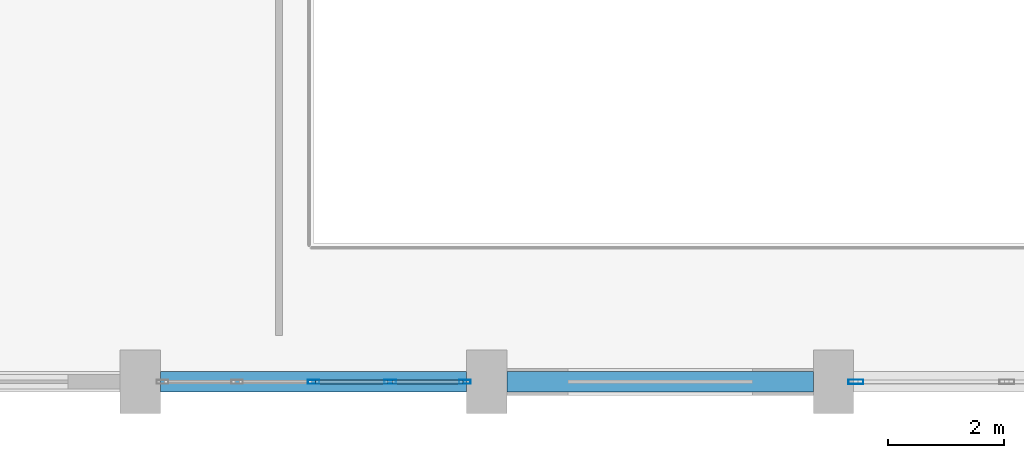
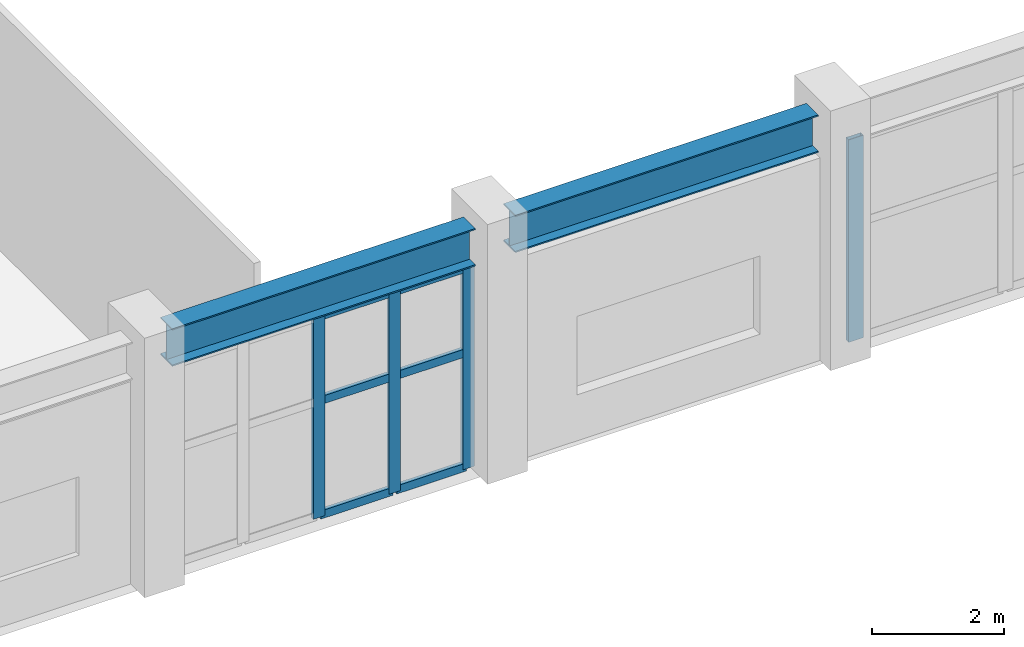
# One storey, part 3 of 62: 10 members, 2 beams, 2 elements without a shape of their own.
"""IFC4 building model written with IfcOpenShell, lengths in metres."""

from ifc_helpers import new_model, si_unit, direction, frame, origin, origin_2d, place, context, subcontext, project, spatial, hollow_rectangle, i_section, extrude, material, layer, layer_set, material_profile, profile_set, type_object, element, aggregate, save


model = new_model("IFC4")

# Units and contexts
model_context = context("Model", 3, precision=1e-05, world=origin(), true_north=direction((0.0, 1.0)))
body_context = subcontext(model_context, "Body", "Model", "MODEL_VIEW")
ifc_project = project(units=[si_unit("LENGTHUNIT", "METRE"), si_unit("AREAUNIT", "SQUARE_METRE"), si_unit("VOLUMEUNIT", "CUBIC_METRE"), si_unit("PLANEANGLEUNIT", "RADIAN"), si_unit("MASSUNIT", "GRAM", prefix="KILO")], contexts=[model_context])

# Site, building, storey
site_placement = place(None, origin())
site = spatial("IfcSite", under=ifc_project, at=site_placement, CompositionType="ELEMENT")
building_placement = place(site_placement, origin())
building = spatial("IfcBuilding", under=site, at=building_placement, Name="Vaelkrest Opera House", CompositionType="ELEMENT")
storey_placement = place(building_placement, frame((0.0, 0.0, 19.800048828125)))
storey = spatial("IfcBuildingStorey", under=building, at=storey_placement, Name="L04", CompositionType="ELEMENT", Elevation=19.800048828125)

# Curtain wall, members
ifc_material_1 = material(Name="Dark bronze anodized aluminium", Category="aluminium")
ifc_layer_1 = layer(ifc_material_1, 0.18994140625)
ifc_layer_set_1 = layer_set([ifc_layer_1], Name="Dark bronze anodized aluminium")
curtain_wall_type_1 = type_object("IfcCurtainWallType", Name="CW02", PredefinedType="NOTDEFINED", material=ifc_layer_set_1)
curtain_wall_1_placement = place(storey_placement, origin())
curtain_wall_1 = element("IfcCurtainWall", 1, at=curtain_wall_1_placement, inside=storey, type_object=curtain_wall_type_1, Name="Curtain wall CW-L04-059", PredefinedType="NOTDEFINED")
ifc_material_profile_1 = material_profile(ifc_material_1, hollow_rectangle(XDim=0.070068359375, YDim=0.199951171875, WallThickness=0.004150390625, at=origin_2d()), Name="CWM70X200")
ifc_profile_set_1 = profile_set([ifc_material_profile_1], Name="Dark bronze anodized aluminium")
member_type_1 = type_object("IfcMemberType", Name="CWM02", PredefinedType="MULLION", material=ifc_profile_set_1)
member_1_placement = place(storey_placement, frame((-18.383056640625, -55.800048828125, 0.0), z_axis=(0.0, 0.0, 1.0), x_axis=(0.0, -1.0, 0.0)))
member_1 = element("IfcMember", 2, at=member_1_placement, type_object=member_type_1, Name="CW02 mullion 1", PredefinedType="MULLION", context=body_context, shape_type="SweptSolid", body=[
    extrude(hollow_rectangle(XDim=0.070068359375, YDim=0.199951171875, WallThickness=0.004150390625, at=origin_2d()), origin(), (0.0, 0.0, 1.0), 3.744873046875),
])
member_2_placement = place(storey_placement, frame((-19.674072265625, -55.800048828125, 0.0), z_axis=(0.0, 0.0, 1.0), x_axis=(0.0, -1.0, 0.0)))
member_2 = element("IfcMember", 3, at=member_2_placement, type_object=member_type_1, Name="CW02 mullion 2", PredefinedType="MULLION", context=body_context, shape_type="SweptSolid", body=[
    extrude(hollow_rectangle(XDim=0.070068359375, YDim=0.199951171875, WallThickness=0.004150390625, at=origin_2d()), origin(), (0.0, 0.0, 1.0), 3.744873046875),
])
member_3_placement = place(storey_placement, frame((-21.0, -55.800048828125, 0.0), z_axis=(0.0, 0.0, 1.0), x_axis=(0.0, -1.0, 0.0)))
member_3 = element("IfcMember", 4, at=member_3_placement, type_object=member_type_1, Name="CW02 mullion 3", PredefinedType="MULLION", context=body_context, shape_type="SweptSolid", body=[
    extrude(hollow_rectangle(XDim=0.070068359375, YDim=0.199951171875, WallThickness=0.004150390625, at=origin_2d()), origin(), (0.0, 0.0, 1.0), 3.744873046875),
])

# Curtain wall, member
ifc_layer_2 = layer(ifc_material_1, 0.25)
ifc_layer_set_2 = layer_set([ifc_layer_2], Name="Dark bronze anodized aluminium")
curtain_wall_type_2 = type_object("IfcCurtainWallType", Name="CW08", PredefinedType="NOTDEFINED", material=ifc_layer_set_2)
curtain_wall_2_placement = place(storey_placement, origin())
curtain_wall_2 = element("IfcCurtainWall", 5, at=curtain_wall_2_placement, inside=storey, type_object=curtain_wall_type_2, Name="Curtain wall CW-L04-058", PredefinedType="NOTDEFINED")
ifc_material_profile_2 = material_profile(ifc_material_1, hollow_rectangle(XDim=0.080078125, YDim=0.260009765625, WallThickness=0.0048828125, at=origin_2d()), Name="CWM80X260")
ifc_profile_set_2 = profile_set([ifc_material_profile_2], Name="Dark bronze anodized aluminium")
member_type_2 = type_object("IfcMemberType", Name="CWM04", PredefinedType="MULLION", material=ifc_profile_set_2)
member_4_placement = place(storey_placement, frame((-11.612060546875, -55.800048828125, 0.0), z_axis=(0.0, 0.0, 1.0), x_axis=(0.0, -1.0, 0.0)))
member_4 = element("IfcMember", 6, at=member_4_placement, type_object=member_type_2, Name="CW08 mullion 3", PredefinedType="MULLION", context=body_context, shape_type="SweptSolid", body=[
    extrude(hollow_rectangle(XDim=0.080078125, YDim=0.260009765625, WallThickness=0.0048828125, at=origin_2d()), origin(), (0.0, 0.0, 1.0), 3.744873046875),
])
aggregate(curtain_wall_2, [member_4])

# Member
ifc_material_profile_3 = material_profile(ifc_material_1, hollow_rectangle(XDim=0.070068359375, YDim=0.14990234375, WallThickness=0.004150390625, at=origin_2d()), Name="CWT70X150")
ifc_profile_set_3 = profile_set([ifc_material_profile_3], Name="Dark bronze anodized aluminium")
member_type_3 = type_object("IfcMemberType", Name="CWT02", PredefinedType="USERDEFINED", material=ifc_profile_set_3)
member_5_placement = place(storey_placement, frame((-18.41796875, -55.800048828125, 0.034912109375), z_axis=(-1.0, 0.0, 0.0), x_axis=(0.0, -1.0, 0.0)))
member_5 = element("IfcMember", 7, at=member_5_placement, type_object=member_type_3, Name="CW02 transom 1.1", ObjectType="TRANSOM", PredefinedType="USERDEFINED", context=body_context, shape_type="SweptSolid", body=[
    extrude(hollow_rectangle(XDim=0.070068359375, YDim=0.14990234375, WallThickness=0.004150390625, at=origin_2d()), origin(), (0.0, 0.0, 1.0), 1.220947265625),
])

member_6_placement = place(storey_placement, frame((-18.41796875, -55.800048828125, 2.14990234375), z_axis=(-1.0, 0.0, 0.0), x_axis=(0.0, -1.0, 0.0)))
member_6 = element("IfcMember", 8, at=member_6_placement, type_object=member_type_3, Name="CW02 transom 1.2", ObjectType="TRANSOM", PredefinedType="USERDEFINED", context=body_context, shape_type="SweptSolid", body=[
    extrude(hollow_rectangle(XDim=0.070068359375, YDim=0.14990234375, WallThickness=0.004150390625, at=origin_2d()), origin(), (0.0, 0.0, 1.0), 1.220947265625),
])

member_7_placement = place(storey_placement, frame((-18.41796875, -55.800048828125, 3.7099609375), z_axis=(-1.0, 0.0, 0.0), x_axis=(0.0, -1.0, 0.0)))
member_7 = element("IfcMember", 9, at=member_7_placement, type_object=member_type_3, Name="CW02 transom 1.3", ObjectType="TRANSOM", PredefinedType="USERDEFINED", context=body_context, shape_type="SweptSolid", body=[
    extrude(hollow_rectangle(XDim=0.070068359375, YDim=0.14990234375, WallThickness=0.004150390625, at=origin_2d()), origin(), (0.0, 0.0, 1.0), 1.220947265625),
])

member_8_placement = place(storey_placement, frame((-19.708984375, -55.800048828125, 0.034912109375), z_axis=(-1.0, 0.0, 0.0), x_axis=(0.0, -1.0, 0.0)))
member_8 = element("IfcMember", 10, at=member_8_placement, type_object=member_type_3, Name="CW02 transom 2.1", ObjectType="TRANSOM", PredefinedType="USERDEFINED", context=body_context, shape_type="SweptSolid", body=[
    extrude(hollow_rectangle(XDim=0.070068359375, YDim=0.14990234375, WallThickness=0.004150390625, at=origin_2d()), origin(), (0.0, 0.0, 1.0), 1.256103515625),
])

member_9_placement = place(storey_placement, frame((-19.708984375, -55.800048828125, 2.14990234375), z_axis=(-1.0, 0.0, 0.0), x_axis=(0.0, -1.0, 0.0)))
member_9 = element("IfcMember", 11, at=member_9_placement, type_object=member_type_3, Name="CW02 transom 2.2", ObjectType="TRANSOM", PredefinedType="USERDEFINED", context=body_context, shape_type="SweptSolid", body=[
    extrude(hollow_rectangle(XDim=0.070068359375, YDim=0.14990234375, WallThickness=0.004150390625, at=origin_2d()), origin(), (0.0, 0.0, 1.0), 1.256103515625),
])

member_10_placement = place(storey_placement, frame((-19.708984375, -55.800048828125, 3.7099609375), z_axis=(-1.0, 0.0, 0.0), x_axis=(0.0, -1.0, 0.0)))
member_10 = element("IfcMember", 12, at=member_10_placement, type_object=member_type_3, Name="CW02 transom 2.3", ObjectType="TRANSOM", PredefinedType="USERDEFINED", context=body_context, shape_type="SweptSolid", body=[
    extrude(hollow_rectangle(XDim=0.070068359375, YDim=0.14990234375, WallThickness=0.004150390625, at=origin_2d()), origin(), (0.0, 0.0, 1.0), 1.256103515625),
])

aggregate(curtain_wall_1, [member_1, member_2, member_3, member_5, member_6, member_7, member_8, member_9, member_10])

# Beams
ifc_material_2 = material(Name="Steel A992 Gr50", Category="steel")
ifc_material_profile_4 = material_profile(ifc_material_2, i_section(OverallWidth=0.35498046875, OverallDepth=0.695068359375, WebThickness=0.015380859375, FlangeThickness=0.02490234375, at=origin_2d()), Name="W27X146")
ifc_profile_set_4 = profile_set([ifc_material_profile_4], Name="Steel A992 Gr50")
beam_type = type_object("IfcBeamType", Name="SP02", PredefinedType="SPANDREL", material=ifc_profile_set_4)
for number, where, z_axis, x_axis, name in (
    (13, (-23.64990234375, -55.800048828125, 4.157470703125), (1.0, 0.0, 0.0), (0.0, 1.0, 0.0), "Beam BM-V1-L04-0530"),
    (14, (-17.64990234375, -55.800048828125, 4.157470703125), (1.0, 0.0, 0.0), (0.0, 1.0, 0.0), "Beam BM-V1-L04-0531"),
):
    element("IfcBeam", number, at=place(storey_placement, frame(where, z_axis=z_axis, x_axis=x_axis)), inside=storey, type_object=beam_type, Name=name, PredefinedType="SPANDREL", context=body_context, shape_type="SweptSolid", body=[
        extrude(i_section(OverallWidth=0.35498046875, OverallDepth=0.695068359375, WebThickness=0.015380859375, FlangeThickness=0.02490234375, at=origin_2d()), origin(), (0.0, 0.0, 1.0), 5.2998046875),
    ])

save(model, "model.ifc")
